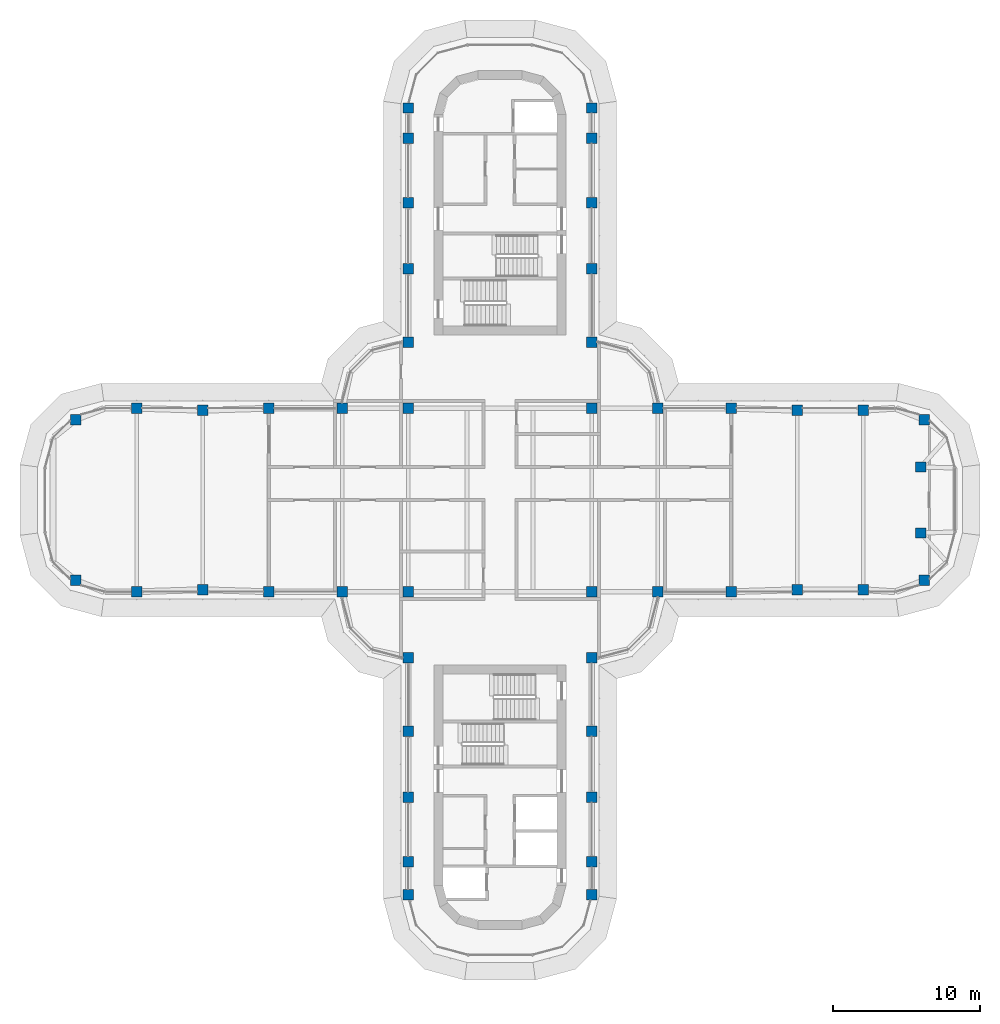
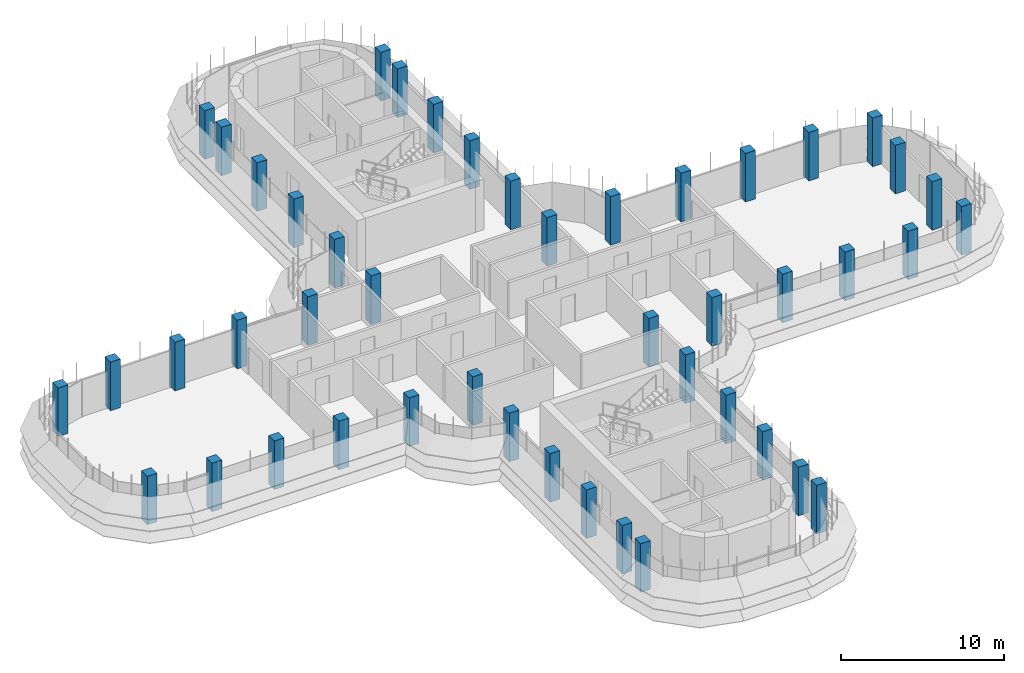
# One storey, part 1 of 18: 46 columns.
"""IFC4 building model written with IfcOpenShell, lengths in metres."""

from ifc_helpers import new_model, si_unit, direction, frame, origin, origin_2d, place, context, subcontext, project, spatial, rectangle, extrude, material, material_profile, profile_set, type_object, element, save


model = new_model("IFC4")

# Units and contexts
model_context = context("Model", 3, precision=1e-05, world=origin(), true_north=direction((0.0, 1.0)))
body_context = subcontext(model_context, "Body", "Model", "MODEL_VIEW")
ifc_project = project(units=[si_unit("LENGTHUNIT", "METRE"), si_unit("AREAUNIT", "SQUARE_METRE"), si_unit("VOLUMEUNIT", "CUBIC_METRE"), si_unit("PLANEANGLEUNIT", "RADIAN"), si_unit("MASSUNIT", "GRAM", prefix="KILO")], contexts=[model_context])

# Site, building, storey
site_placement = place(None, origin())
site = spatial("IfcSite", under=ifc_project, at=site_placement, CompositionType="ELEMENT")
building_placement = place(site_placement, origin())
building = spatial("IfcBuilding", under=site, at=building_placement, Name="Zarbagh Exchange Tower", CompositionType="ELEMENT")
storey_placement = place(building_placement, frame((0.0, 0.0, 206.800048828125)))
storey = spatial("IfcBuildingStorey", under=building, at=storey_placement, Name="L50", CompositionType="ELEMENT", Elevation=206.800048828125)

# Columns
ifc_material = material(Name="Concrete C50/60", Category="concrete")
ifc_material_profile = material_profile(ifc_material, rectangle(XDim=0.699951171875, YDim=0.699951171875, at=origin_2d()), Name="RC column 700 x 700 C50/60")
ifc_profile_set = profile_set([ifc_material_profile], Name="Concrete C50/60")
column_type = type_object("IfcColumnType", Name="RC column 700 x 700 C50/60", PredefinedType="COLUMN", material=ifc_profile_set)
for number, where, z_axis, x_axis, name in (
    (1, (-28.907958984375, -5.47509765625, 0.0), (0.0, 0.0, 1.0), (1.0, 0.0, 0.0), "C5 11/R"),
    (2, (-28.907958984375, 5.47509765625, 0.0), (0.0, 0.0, 1.0), (1.0, 0.0, 0.0), "C5 11/U"),
    (3, (-24.75, -6.25, 0.0), (0.0, 0.0, 1.0), (1.0, 0.0, 0.0), "C5 12/R"),
    (4, (-24.75, 6.25, 0.0), (0.0, 0.0, 1.0), (1.0, 0.0, 0.0), "C5 12/U"),
    (5, (-20.25, -6.110107421875, 0.0), (0.0, 0.0, 1.0), (1.0, 0.0, 0.0), "C5 13/R"),
    (6, (-20.25, 6.110107421875, 0.0), (0.0, 0.0, 1.0), (1.0, 0.0, 0.0), "C5 13/U"),
    (7, (-15.75, -6.25, 0.0), (0.0, 0.0, 1.0), (1.0, 0.0, 0.0), "C5 14/R"),
    (8, (-15.75, 6.25, 0.0), (0.0, 0.0, 1.0), (1.0, 0.0, 0.0), "C5 14/U"),
    (9, (-10.75, -6.25, 0.0), (0.0, 0.0, 1.0), (1.0, 0.0, 0.0), "C5 15/R"),
    (10, (-10.75, 6.25, 0.0), (0.0, 0.0, 1.0), (1.0, 0.0, 0.0), "C5 15/U"),
    (11, (-6.25, -26.89990234375, 0.0), (0.0, 0.0, 1.0), (1.0, 0.0, 0.0), "C5 16/L"),
    (12, (-6.25, -24.64990234375, 0.0), (0.0, 0.0, 1.0), (1.0, 0.0, 0.0), "C5 16/M"),
    (13, (-6.25, -20.25, 0.0), (0.0, 0.0, 1.0), (1.0, 0.0, 0.0), "C5 16/N"),
    (14, (-6.25, -15.75, 0.0), (0.0, 0.0, 1.0), (1.0, 0.0, 0.0), "C5 16/P"),
    (15, (-6.25, -10.75, 0.0), (0.0, 0.0, 1.0), (1.0, 0.0, 0.0), "C5 16/Q"),
    (16, (-6.25, -6.25, 0.0), (0.0, 0.0, 1.0), (1.0, 0.0, 0.0), "C5 16/R"),
    (17, (-6.25, 6.25, 0.0), (0.0, 0.0, 1.0), (1.0, 0.0, 0.0), "C5 16/U"),
    (18, (-6.25, 10.75, 0.0), (0.0, 0.0, 1.0), (1.0, 0.0, 0.0), "C5 16/V"),
    (19, (-6.25, 15.75, 0.0), (0.0, 0.0, 1.0), (1.0, 0.0, 0.0), "C5 16/W"),
    (20, (-6.25, 20.25, 0.0), (0.0, 0.0, 1.0), (1.0, 0.0, 0.0), "C5 16/X"),
    (21, (-6.25, 24.64990234375, 0.0), (0.0, 0.0, 1.0), (1.0, 0.0, 0.0), "C5 16/Y"),
    (22, (-6.25, 26.699951171875, 0.0), (0.0, 0.0, 1.0), (1.0, 0.0, 0.0), "C5 16/Z"),
    (23, (6.25, -26.89990234375, 0.0), (0.0, 0.0, 1.0), (1.0, 0.0, 0.0), "C5 19/L"),
    (24, (6.25, -24.64990234375, 0.0), (0.0, 0.0, 1.0), (1.0, 0.0, 0.0), "C5 19/M"),
    (25, (6.25, -20.25, 0.0), (0.0, 0.0, 1.0), (1.0, 0.0, 0.0), "C5 19/N"),
    (26, (6.25, -15.75, 0.0), (0.0, 0.0, 1.0), (1.0, 0.0, 0.0), "C5 19/P"),
    (27, (6.25, -10.75, 0.0), (0.0, 0.0, 1.0), (1.0, 0.0, 0.0), "C5 19/Q"),
    (28, (6.25, -6.25, 0.0), (0.0, 0.0, 1.0), (1.0, 0.0, 0.0), "C5 19/R"),
    (29, (6.25, 6.25, 0.0), (0.0, 0.0, 1.0), (1.0, 0.0, 0.0), "C5 19/U"),
    (30, (6.25, 10.75, 0.0), (0.0, 0.0, 1.0), (1.0, 0.0, 0.0), "C5 19/V"),
    (31, (6.25, 15.75, 0.0), (0.0, 0.0, 1.0), (1.0, 0.0, 0.0), "C5 19/W"),
    (32, (6.25, 20.25, 0.0), (0.0, 0.0, 1.0), (1.0, 0.0, 0.0), "C5 19/X"),
    (33, (6.25, 24.64990234375, 0.0), (0.0, 0.0, 1.0), (1.0, 0.0, 0.0), "C5 19/Y"),
    (34, (6.25, 26.699951171875, 0.0), (0.0, 0.0, 1.0), (1.0, 0.0, 0.0), "C5 19/Z"),
    (35, (10.75, -6.25, 0.0), (0.0, 0.0, 1.0), (1.0, 0.0, 0.0), "C5 20/R"),
    (36, (10.75, 6.25, 0.0), (0.0, 0.0, 1.0), (1.0, 0.0, 0.0), "C5 20/U"),
    (37, (15.75, -6.25, 0.0), (0.0, 0.0, 1.0), (1.0, 0.0, 0.0), "C5 21/R"),
    (38, (15.75, 6.25, 0.0), (0.0, 0.0, 1.0), (1.0, 0.0, 0.0), "C5 21/U"),
    (39, (20.25, -6.110107421875, 0.0), (0.0, 0.0, 1.0), (1.0, 0.0, 0.0), "C5 22/R"),
    (40, (20.25, 6.110107421875, 0.0), (0.0, 0.0, 1.0), (1.0, 0.0, 0.0), "C5 22/U"),
    (41, (24.75, -6.110107421875, 0.0), (0.0, 0.0, 1.0), (1.0, 0.0, 0.0), "C5 23/R"),
    (42, (24.75, 6.110107421875, 0.0), (0.0, 0.0, 1.0), (1.0, 0.0, 0.0), "C5 23/U"),
    (43, (28.907958984375, -5.47509765625, 0.0), (0.0, 0.0, 1.0), (1.0, 0.0, 0.0), "C5 24/R"),
    (44, (28.669921875, -2.25, 0.0), (0.0, 0.0, 1.0), (1.0, 0.0, 0.0), "C5 24/S"),
    (45, (28.669921875, 2.25, 0.0), (0.0, 0.0, 1.0), (1.0, 0.0, 0.0), "C5 24/T"),
    (46, (28.907958984375, 5.47509765625, 0.0), (0.0, 0.0, 1.0), (1.0, 0.0, 0.0), "C5 24/U"),
):
    element("IfcColumn", number, at=place(storey_placement, frame(where, z_axis=z_axis, x_axis=x_axis)), inside=storey, type_object=column_type, Name=name, PredefinedType="COLUMN", context=body_context, shape_type="SweptSolid", body=[
        extrude(rectangle(XDim=0.699951171875, YDim=0.699951171875, at=origin_2d()), origin(), (0.0, 0.0, 1.0), 3.64990234375),
    ])

save(model, "model.ifc")
